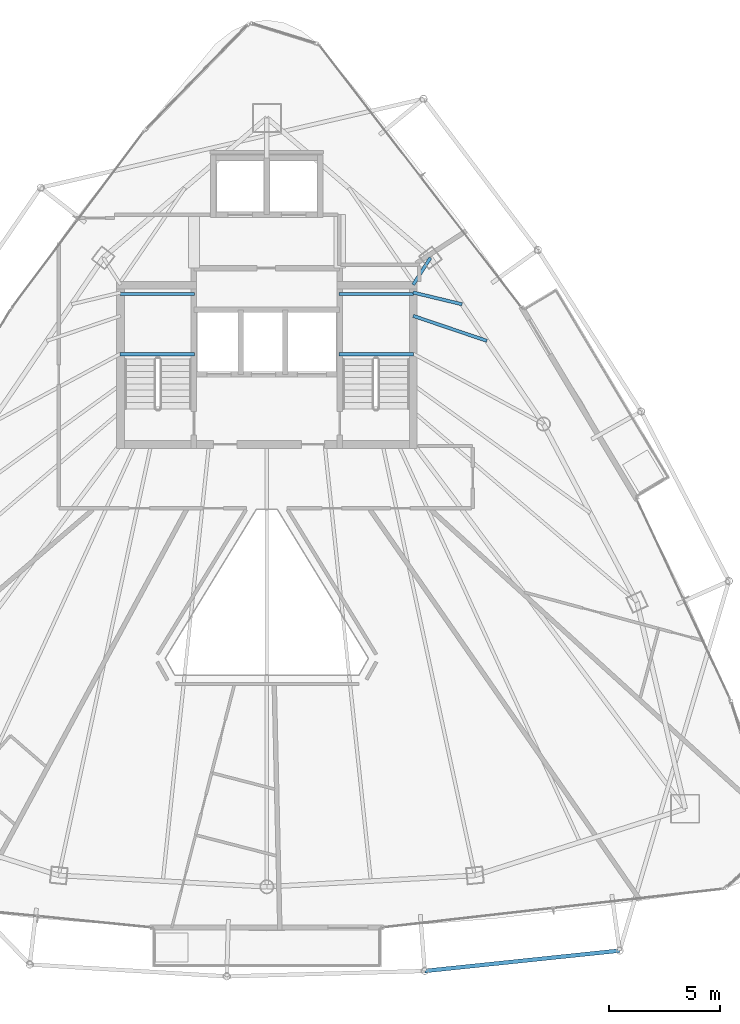
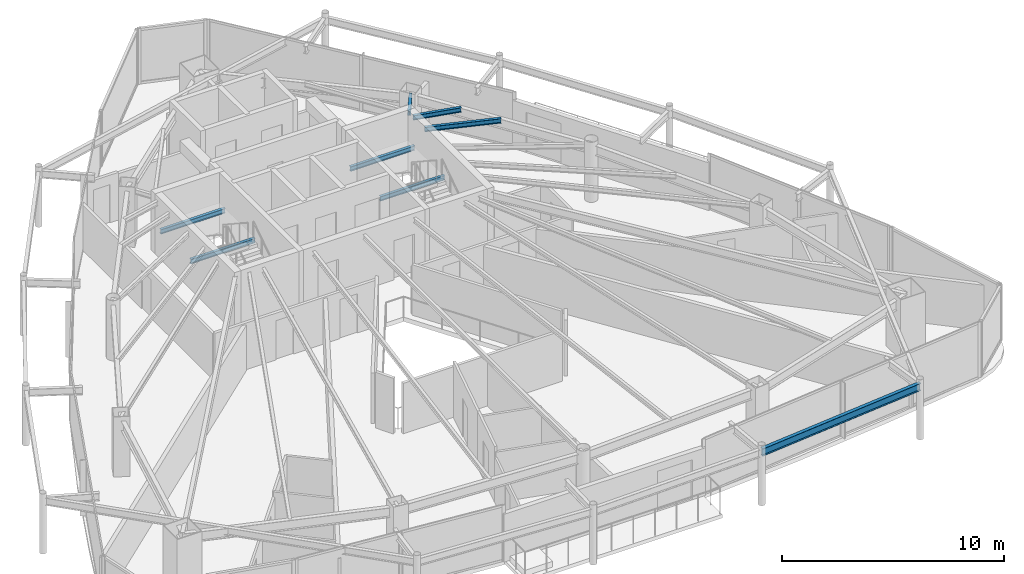
# One storey, part 13 of 30: 8 beams.
"""IFC4 building model written with IfcOpenShell, lengths in metres."""

from ifc_helpers import new_model, si_unit, direction, frame, origin, origin_2d, place, context, subcontext, project, spatial, i_section, extrude, material, material_profile, profile_set, type_object, element, save


model = new_model("IFC4")

# Units and contexts
model_context = context("Model", 3, precision=1e-05, world=origin(), true_north=direction((0.0, 1.0)))
body_context = subcontext(model_context, "Body", "Model", "MODEL_VIEW")
ifc_project = project(units=[si_unit("LENGTHUNIT", "METRE"), si_unit("AREAUNIT", "SQUARE_METRE"), si_unit("VOLUMEUNIT", "CUBIC_METRE"), si_unit("PLANEANGLEUNIT", "RADIAN"), si_unit("MASSUNIT", "GRAM", prefix="KILO")], contexts=[model_context])

# Site, building, storey
site_placement = place(None, origin())
site = spatial("IfcSite", under=ifc_project, at=site_placement, CompositionType="ELEMENT")
building_placement = place(site_placement, origin())
building = spatial("IfcBuilding", under=site, at=building_placement, Name="Orvanel Arch Residences", CompositionType="ELEMENT")
storey_placement = place(building_placement, frame((0.0, 0.0, 226.10009765625)))
storey = spatial("IfcBuildingStorey", under=building, at=storey_placement, Name="L64", CompositionType="ELEMENT", Elevation=226.10009765625)

# Beams
ifc_material = material(Name="Structural steel AS/NZS 3679.1 Grade 300 (300 MPa)", Category="steel")
ifc_material_profile_1 = material_profile(ifc_material, i_section(OverallWidth=0.14599609375, OverallDepth=0.251953125, WebThickness=0.006103515625, FlangeThickness=0.008544921875, at=origin_2d()), Name="250UB31.4")
ifc_profile_set_1 = profile_set([ifc_material_profile_1], Name="Structural steel AS/NZS 3679.1 Grade 300 (300 MPa)")
beam_type_1 = type_object("IfcBeamType", Name="BJ-250UB", PredefinedType="JOIST", material=ifc_profile_set_1)
for number, where, z_axis, x_axis, name in (
    (1, (26.39990234375, 30.780029296875, 1.323974609375), (1.0, 0.0, 0.0), (0.0, 1.0, 0.0), "L64 ST-1 Half-Landing Support Beam 1.1"),
    (2, (26.39990234375, 33.47998046875, 1.323974609375), (1.0, 0.0, 0.0), (0.0, 1.0, 0.0), "L64 ST-1 Half-Landing Support Beam 1.2"),
    (3, (36.25, 30.780029296875, 1.323974609375), (1.0, 0.0, 0.0), (0.0, 1.0, 0.0), "L64 ST-2 Half-Landing Support Beam 1.1"),
    (4, (36.25, 33.47998046875, 1.323974609375), (1.0, 0.0, 0.0), (0.0, 1.0, 0.0), "L64 ST-2 Half-Landing Support Beam 1.2"),
):
    element("IfcBeam", number, at=place(storey_placement, frame(where, z_axis=z_axis, x_axis=x_axis)), inside=storey, type_object=beam_type_1, Name=name, PredefinedType="JOIST", context=body_context, shape_type="SweptSolid", body=[
        extrude(i_section(OverallWidth=0.14599609375, OverallDepth=0.251953125, WebThickness=0.006103515625, FlangeThickness=0.008544921875, at=origin_2d()), origin(), (0.0, 0.0, 1.0), 3.35009765625),
    ])
beam_1_placement = place(storey_placement, frame((39.574951171875, 33.89990234375, 2.933837890625), z_axis=(0.539395075146, 0.842052820735, 0.0), x_axis=(-0.842052820735, 0.539395075146, 0.0)))
element("IfcBeam", 5, at=beam_1_placement, inside=storey, type_object=beam_type_1, Name="L64 NNE Wing Floor Joist", PredefinedType="JOIST", context=body_context, shape_type="SweptSolid", body=[
    extrude(i_section(OverallWidth=0.14599609375, OverallDepth=0.251953125, WebThickness=0.006103515625, FlangeThickness=0.008544921875, at=origin_2d()), origin(), (0.0, 0.0, 1.0), 1.440673828125),
])
beam_2_placement = place(storey_placement, frame((39.574951171875, 32.5, 2.933837890625), z_axis=(0.947159269453, -0.320763648641, 0.0), x_axis=(0.320763648641, 0.947159269453, 0.0)))
element("IfcBeam", 6, at=beam_2_placement, inside=storey, type_object=beam_type_1, Name="L64 ENE Wing Floor Joist", PredefinedType="JOIST", context=body_context, shape_type="SweptSolid", body=[
    extrude(i_section(OverallWidth=0.14599609375, OverallDepth=0.251953125, WebThickness=0.006103515625, FlangeThickness=0.008544921875, at=origin_2d()), origin(), (0.0, 0.0, 1.0), 3.501220703125),
])
beam_3_placement = place(storey_placement, frame((39.574951171875, 33.550048828125, 2.933837890625), z_axis=(0.972256833016, -0.23391590509, 0.0), x_axis=(0.23391590509, 0.972256833016, 0.0)))
element("IfcBeam", 7, at=beam_3_placement, inside=storey, type_object=beam_type_1, Name="L64 JADD4 Wing Floor Joist", PredefinedType="JOIST", context=body_context, shape_type="SweptSolid", body=[
    extrude(i_section(OverallWidth=0.14599609375, OverallDepth=0.251953125, WebThickness=0.006103515625, FlangeThickness=0.008544921875, at=origin_2d()), origin(), (0.0, 0.0, 1.0), 2.26171875),
])
ifc_material_profile_2 = material_profile(ifc_material, i_section(OverallWidth=0.177978515625, OverallDepth=0.406005859375, WebThickness=0.0078125, FlangeThickness=0.0126953125, at=origin_2d()), Name="410UB59.7")
ifc_profile_set_2 = profile_set([ifc_material_profile_2], Name="Structural steel AS/NZS 3679.1 Grade 300 (300 MPa)")
beam_type_2 = type_object("IfcBeamType", Name="OB-410UB-EXT", PredefinedType="SPANDREL", material=ifc_profile_set_2)
beam_4_placement = place(storey_placement, frame((40.096923828125, 3.06005859375, 2.85693359375), z_axis=(0.994597734861, 0.103804363151, 0.0), x_axis=(-0.103804363151, 0.994597734861, 0.0)))
element("IfcBeam", 8, at=beam_4_placement, inside=storey, type_object=beam_type_2, Name="L64 Outer Perimeter Floor Ring Beam 07", PredefinedType="SPANDREL", context=body_context, shape_type="SweptSolid", body=[
    extrude(i_section(OverallWidth=0.177978515625, OverallDepth=0.406005859375, WebThickness=0.0078125, FlangeThickness=0.0126953125, at=origin_2d()), origin(), (0.0, 0.0, 1.0), 8.8056640625),
])

save(model, "model.ifc")
